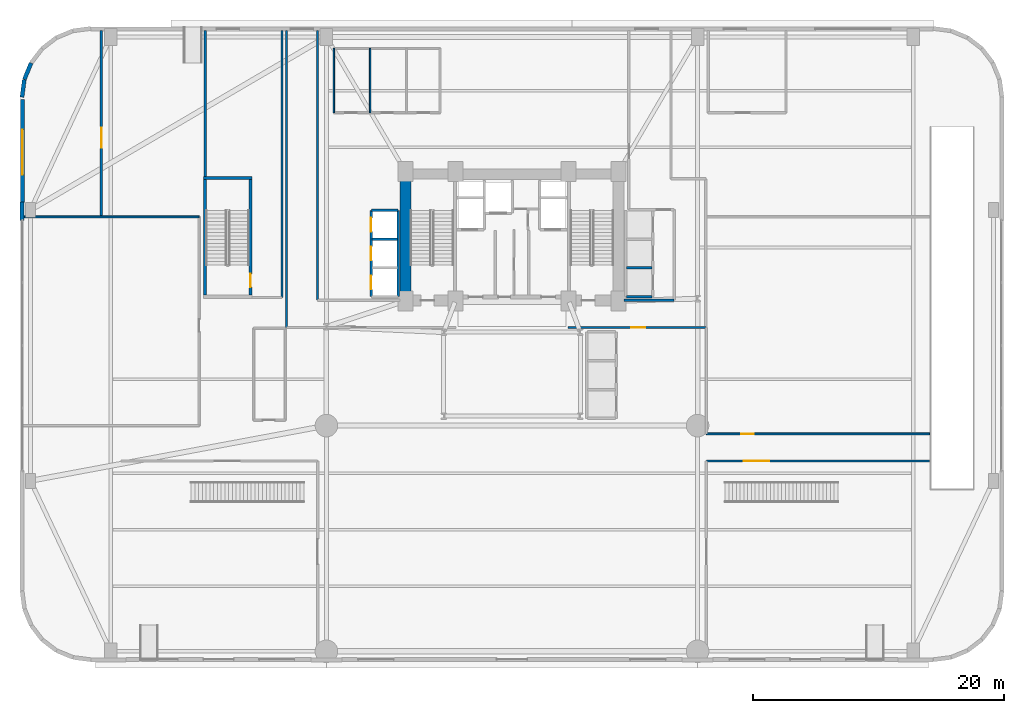
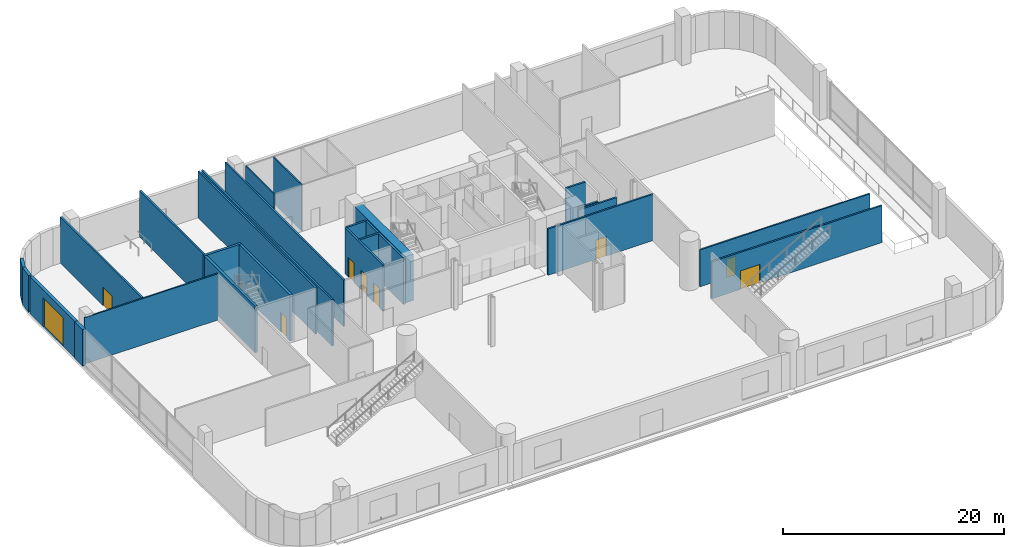
# One storey, part 17 of 26: 26 walls, 9 doors, 9 openings.
"""IFC4 building model written with IfcOpenShell, lengths in metres."""

from ifc_helpers import new_model, si_unit, direction, frame, frame_2d, origin, place, context, subcontext, project, spatial, rectangle, extrude, material, layer, layer_set, type_object, element, fill, save


model = new_model("IFC4")

# Units and contexts
model_context = context("Model", 3, precision=1e-05, world=origin(), true_north=direction((0.0, 1.0)))
body_context = subcontext(model_context, "Body", "Model", "MODEL_VIEW")
ifc_project = project(units=[si_unit("LENGTHUNIT", "METRE"), si_unit("AREAUNIT", "SQUARE_METRE"), si_unit("VOLUMEUNIT", "CUBIC_METRE"), si_unit("PLANEANGLEUNIT", "RADIAN"), si_unit("MASSUNIT", "GRAM", prefix="KILO")], contexts=[model_context])

# Site, building, storey
site_placement = place(None, origin())
site = spatial("IfcSite", under=ifc_project, at=site_placement, CompositionType="ELEMENT")
building_placement = place(site_placement, origin())
building = spatial("IfcBuilding", under=site, at=building_placement, Name="Varnelok Gate Tower", CompositionType="ELEMENT")
storey_placement = place(building_placement, origin())
storey = spatial("IfcBuildingStorey", under=building, at=storey_placement, Name="L00", CompositionType="ELEMENT", Elevation=0.0)

# Wall, opening, door
ifc_material_1 = material(Name="Concrete C45/55", Category="concrete")
ifc_layer_1 = layer(ifc_material_1, 0.320068359375)
ifc_layer_set_1 = layer_set([ifc_layer_1], Name="Concrete C45/55")
wall_type_1 = type_object("IfcWallType", Name="EW-POD-320", PredefinedType="SOLIDWALL", material=ifc_layer_set_1)
wall_1_placement = place(storey_placement, frame((0.159912109375, 36.60009765625, 0.0), z_axis=(0.0, 0.0, 1.0), x_axis=(0.0, 1.0, 0.0)))
wall_1 = element("IfcWall", 1, at=wall_1_placement, inside=storey, type_object=wall_type_1, Name="L00 West Loading Bay Facade Wall", PredefinedType="SOLIDWALL", context=body_context, shape_type="SweptSolid", body=[
    extrude(rectangle(XDim=8.199951171875, YDim=0.320068359375, at=frame_2d((4.10009765625, 0.0))), origin(), (0.0, 0.0, 1.0), 4.070068359375),
])
opening_1_placement = place(wall_1_placement, frame((2.199951171875, 0.0, 0.0)))
opening_1 = element("IfcOpeningElement", 2, at=opening_1_placement, cuts=wall_1, Name="Opening LDG-01", PredefinedType="OPENING", context=body_context, shape_type="SweptSolid", body=[
    extrude(rectangle(XDim=3.60009765625, YDim=3.199951171875, at=frame_2d((1.800048828125, 1.60009765625))), frame((0.0, 0.169921875, 0.0), z_axis=(0.0, -1.0, 0.0), x_axis=(1.0, 0.0, 0.0)), (0.0, 0.0, 1.0), 0.340087890625),
])
ifc_material_2 = material(Name="Galvanized Steel Grade S350GD", Category="steel")
door_type_1 = type_object("IfcDoorType", Name="DR-LOAD-SHUT3600", OperationType="ROLLINGUP", PredefinedType="DOOR", material=ifc_material_2)
door_1_placement = place(opening_1_placement, origin())
door_1 = element("IfcDoor", 3, at=door_1_placement, inside=storey, type_object=door_type_1, Name="L00 Service Loading Bay Roller Shutter", OperationType="ROLLINGUP", OverallHeight=3.199951171875, OverallWidth=3.60009765625, PredefinedType="DOOR", context=body_context, shape_type="SweptSolid", body=[
    extrude(rectangle(XDim=3.60009765625, YDim=3.199951171875, at=frame_2d((1.800048828125, 1.60009765625))), frame((0.0, 0.02490234375, 0.0), z_axis=(0.0, -1.0, 0.0), x_axis=(1.0, 0.0, 0.0)), (0.0, 0.0, 1.0), 0.050048828125),
])
fill(opening_1, door_1)

# Walls
wall_2_placement = place(storey_placement, frame((0.845703125, 47.71630859375, 0.0), z_axis=(0.0, 0.0, 1.0), x_axis=(-0.382924622758, -0.923779591291, 0.0)))
element("IfcWall", 4, at=wall_2_placement, inside=storey, type_object=wall_type_1, Name="L00 Perimeter Facade Closure Wall 29", PredefinedType="SOLIDWALL", context=body_context, shape_type="SweptSolid", body=[
    extrude(rectangle(XDim=1.4052734375, YDim=0.320068359375, at=frame_2d((0.70263671875, 0.0))), origin(), (0.0, 0.0, 1.0), 4.070068359375),
])
wall_3_placement = place(storey_placement, frame((0.304443359375, 46.393310546875, 0.0), z_axis=(0.0, 0.0, 1.0), x_axis=(-0.130432168094, -0.991457235349, 0.0)))
element("IfcWall", 5, at=wall_3_placement, inside=storey, type_object=wall_type_1, Name="L00 Perimeter Facade Closure Wall 30", PredefinedType="SOLIDWALL", context=body_context, shape_type="SweptSolid", body=[
    extrude(rectangle(XDim=1.4130859375, YDim=0.320068359375, at=frame_2d((0.70654296875, 0.0))), origin(), (0.0, 0.0, 1.0), 4.070068359375),
])
wall_4_placement = place(storey_placement, frame((0.1201171875, 36.6298828125, 0.0), z_axis=(0.0, 0.0, 1.0), x_axis=(0.0, -1.0, 0.0)))
element("IfcWall", 6, at=wall_4_placement, inside=storey, type_object=wall_type_1, Name="L00 Perimeter Facade Closure Wall 31", PredefinedType="SOLIDWALL", context=body_context, shape_type="SweptSolid", body=[
    extrude(rectangle(XDim=1.4599609375, YDim=0.320068359375, at=frame_2d((0.72998046875, 0.0))), origin(), (0.0, 0.0, 1.0), 4.070068359375),
])

# Wall, opening, door
ifc_material_3 = material(Name="Gypsum Plasterboard Acoustic Partition", Category="gypsum")
ifc_layer_2 = layer(ifc_material_3, 0.179931640625)
ifc_layer_set_2 = layer_set([ifc_layer_2], Name="Gypsum Plasterboard Acoustic Partition")
wall_type_2 = type_object("IfcWallType", Name="PW-CORR-180", PredefinedType="PARTITIONING", material=ifc_layer_set_2)
wall_5_placement = place(storey_placement, frame((54.699951171875, 15.97998046875, 0.0), z_axis=(0.0, 0.0, 1.0), x_axis=(1.0, 0.0, 0.0)))
wall_5 = element("IfcWall", 7, at=wall_5_placement, inside=storey, type_object=wall_type_2, Name="Interior Partition", PredefinedType="PARTITIONING", context=body_context, shape_type="SweptSolid", body=[
    extrude(rectangle(XDim=17.800048828125, YDim=0.179931640625, at=frame_2d((8.89990234375, 0.0))), origin(), (0.0, 0.0, 1.0), 4.0849609375),
])
opening_2_placement = place(wall_5_placement, frame((3.0, 0.0, 0.0)))
opening_2 = element("IfcOpeningElement", 8, at=opening_2_placement, cuts=wall_5, Name="Opening D-BL", PredefinedType="OPENING", context=body_context, shape_type="SweptSolid", body=[
    extrude(rectangle(XDim=2.0, YDim=2.050048828125, at=frame_2d((1.0, 1.02490234375))), frame((0.0, 0.099853515625, 0.0), z_axis=(0.0, -1.0, 0.0), x_axis=(1.0, 0.0, 0.0)), (0.0, 0.0, 1.0), 0.199951171875),
])
ifc_material_4 = material(Name="Engineered Hardwood Timber", Category="wood")
door_type_2 = type_object("IfcDoorType", Name="DR-BALL-2000", OperationType="DOUBLE_DOOR_SINGLE_SWING", PredefinedType="DOOR", material=ifc_material_4)
door_2_placement = place(opening_2_placement, origin())
door_2 = element("IfcDoor", 9, at=door_2_placement, inside=storey, type_object=door_type_2, Name="L00 Residences Arcade Portal", OperationType="DOUBLE_DOOR_SINGLE_SWING", OverallHeight=2.050048828125, OverallWidth=2.0, PredefinedType="DOOR", context=body_context, shape_type="SweptSolid", body=[
    extrude(rectangle(XDim=2.0, YDim=2.050048828125, at=frame_2d((1.0, 1.02490234375))), frame((0.0, 0.02490234375, 0.0), z_axis=(0.0, -1.0, 0.0), x_axis=(1.0, 0.0, 0.0)), (0.0, 0.0, 1.0), 0.050048828125),
])
fill(opening_2, door_2)

# Walls
wall_6_placement = place(storey_placement, frame((20.860107421875, 29.02001953125, 0.0), z_axis=(0.0, 0.0, 1.0), x_axis=(0.0, 1.0, 0.0)))
element("IfcWall", 10, at=wall_6_placement, inside=storey, type_object=wall_type_2, Name="Interior Partition", PredefinedType="PARTITIONING", context=body_context, shape_type="SweptSolid", body=[
    extrude(rectangle(XDim=21.300048828125, YDim=0.179931640625, at=frame_2d((10.64990234375, 0.0))), origin(), (0.0, 0.0, 1.0), 5.1201171875),
])
wall_7_placement = place(storey_placement, frame((14.739990234375, 38.52001953125, 0.0), z_axis=(0.0, 0.0, 1.0), x_axis=(0.0, 1.0, 0.0)))
element("IfcWall", 11, at=wall_7_placement, inside=storey, type_object=wall_type_2, Name="Interior Partition", PredefinedType="PARTITIONING", context=body_context, shape_type="SweptSolid", body=[
    extrude(rectangle(XDim=11.800048828125, YDim=0.179931640625, at=frame_2d((5.89990234375, 0.0))), origin(), (0.0, 0.0, 1.0), 5.1201171875),
])
wall_8_placement = place(storey_placement, frame((21.219970703125, 26.6201171875, 0.0), z_axis=(0.0, 0.0, 1.0), x_axis=(0.0, 1.0, 0.0)))
element("IfcWall", 12, at=wall_8_placement, inside=storey, type_object=wall_type_2, Name="Interior Partition", PredefinedType="PARTITIONING", context=body_context, shape_type="SweptSolid", body=[
    extrude(rectangle(XDim=23.699951171875, YDim=0.179931640625, at=frame_2d((11.85009765625, 0.0))), origin(), (0.0, 0.0, 1.0), 5.1201171875),
])
wall_9_placement = place(storey_placement, frame((23.679931640625, 28.800048828125, 0.0), z_axis=(0.0, 0.0, 1.0), x_axis=(0.0, 1.0, 0.0)))
element("IfcWall", 13, at=wall_9_placement, inside=storey, type_object=wall_type_2, Name="Interior Partition", PredefinedType="PARTITIONING", context=body_context, shape_type="SweptSolid", body=[
    extrude(rectangle(XDim=21.52001953125, YDim=0.179931640625, at=frame_2d((10.760009765625, 0.0))), origin(), (0.0, 0.0, 1.0), 5.1201171875),
])

# Wall, opening, door
wall_10_placement = place(storey_placement, frame((43.679931640625, 26.6201171875, 0.0), z_axis=(0.0, 0.0, 1.0), x_axis=(1.0, 0.0, 0.0)))
wall_10 = element("IfcWall", 14, at=wall_10_placement, inside=storey, type_object=wall_type_2, Name="Interior Partition", PredefinedType="PARTITIONING", context=body_context, shape_type="SweptSolid", body=[
    extrude(rectangle(XDim=10.97998046875, YDim=0.179931640625, at=frame_2d((5.489990234375, 0.0))), origin(), (0.0, 0.0, 1.0), 5.1201171875),
])
opening_3_placement = place(wall_10_placement, frame((5.02978515625, 0.0, 0.0)))
opening_3 = element("IfcOpeningElement", 15, at=opening_3_placement, cuts=wall_10, Name="Opening D-FF", PredefinedType="OPENING", context=body_context, shape_type="SweptSolid", body=[
    extrude(rectangle(XDim=1.10009765625, YDim=2.14990234375, at=frame_2d((0.550048828125, 1.074951171875))), frame((0.0, 0.099853515625, 0.0), z_axis=(0.0, -1.0, 0.0), x_axis=(1.0, 0.0, 0.0)), (0.0, 0.0, 1.0), 0.199951171875),
])
door_type_3 = type_object("IfcDoorType", Name="DR-FFLOB-1100", OperationType="NOTDEFINED", PredefinedType="DOOR", material=ifc_material_2)
door_3_placement = place(opening_3_placement, origin())
door_3 = element("IfcDoor", 16, at=door_3_placement, inside=storey, type_object=door_type_3, Name="L00 East Exit Passage Concourse Door", OperationType="SINGLE_SWING_LEFT", OverallHeight=2.14990234375, OverallWidth=1.10009765625, PredefinedType="DOOR", context=body_context, shape_type="SweptSolid", body=[
    extrude(rectangle(XDim=1.10009765625, YDim=2.14990234375, at=frame_2d((0.550048828125, 1.074951171875))), frame((0.0, 0.02490234375, 0.0), z_axis=(0.0, -1.0, 0.0), x_axis=(1.0, 0.0, 0.0)), (0.0, 0.0, 1.0), 0.050048828125),
])
fill(opening_3, door_3)

# Wall
wall_11_placement = place(storey_placement, frame((48.1201171875, 28.800048828125, 0.0), z_axis=(0.0, 0.0, 1.0), x_axis=(1.0, 0.0, 0.0)))
element("IfcWall", 17, at=wall_11_placement, inside=storey, type_object=wall_type_2, Name="Interior Partition", PredefinedType="PARTITIONING", context=body_context, shape_type="SweptSolid", body=[
    extrude(rectangle(XDim=4.019775390625, YDim=0.179931640625, at=frame_2d((2.009765625, 0.0))), origin(), (0.0, 0.0, 1.0), 4.33203125),
])

# Wall, opening, door
wall_12_placement = place(storey_placement, frame((6.449951171875, 35.449951171875, 0.0), z_axis=(0.0, 0.0, 1.0), x_axis=(0.0, 1.0, 0.0)))
wall_12 = element("IfcWall", 18, at=wall_12_placement, inside=storey, type_object=wall_type_2, Name="Interior Partition", PredefinedType="PARTITIONING", context=body_context, shape_type="SweptSolid", body=[
    extrude(rectangle(XDim=14.85009765625, YDim=0.179931640625, at=frame_2d((7.425048828125, 0.0))), origin(), (0.0, 0.0, 1.0), 5.1201171875),
])
opening_4_placement = place(wall_12_placement, frame((5.5, 0.0, 0.0)))
opening_4 = element("IfcOpeningElement", 19, at=opening_4_placement, cuts=wall_12, Name="Opening D-PL", PredefinedType="OPENING", context=body_context, shape_type="SweptSolid", body=[
    extrude(rectangle(XDim=1.60009765625, YDim=2.050048828125, at=frame_2d((0.800048828125, 1.02490234375))), frame((0.0, 0.099853515625, 0.0), z_axis=(0.0, -1.0, 0.0), x_axis=(1.0, 0.0, 0.0)), (0.0, 0.0, 1.0), 0.199951171875),
])
door_type_4 = type_object("IfcDoorType", Name="DR-PLANT-1600", OperationType="DOUBLE_DOOR_SINGLE_SWING", PredefinedType="DOOR", material=ifc_material_2)
door_4_placement = place(opening_4_placement, origin())
door_4 = element("IfcDoor", 20, at=door_4_placement, inside=storey, type_object=door_type_4, Name="L00 Loading Bay Service Door", OperationType="DOUBLE_DOOR_SINGLE_SWING", OverallHeight=2.050048828125, OverallWidth=1.60009765625, PredefinedType="DOOR", context=body_context, shape_type="SweptSolid", body=[
    extrude(rectangle(XDim=1.60009765625, YDim=2.050048828125, at=frame_2d((0.800048828125, 1.02490234375))), frame((0.0, 0.02490234375, 0.0), z_axis=(0.0, -1.0, 0.0), x_axis=(1.0, 0.0, 0.0)), (0.0, 0.0, 1.0), 0.050048828125),
])
fill(opening_4, door_4)

# Walls
ifc_layer_3 = layer(ifc_material_3, 0.125)
ifc_layer_set_3 = layer_set([ifc_layer_3], Name="Gypsum Plasterboard Acoustic Partition")
wall_type_3 = type_object("IfcWallType", Name="PW-PART-125", PredefinedType="PARTITIONING", material=ifc_layer_set_3)
for number, where, z_axis, x_axis, name in (
    (21, (25.0, 43.75, 0.0), (0.0, 0.0, 1.0), (0.0, 1.0, 0.0), "Interior Partition"),
    (22, (27.8798828125, 43.75, 0.0), (0.0, 0.0, 1.0), (0.0, 1.0, 0.0), "Interior Partition"),
):
    element("IfcWall", number, at=place(storey_placement, frame(where, z_axis=z_axis, x_axis=x_axis)), inside=storey, type_object=wall_type_3, Name=name, PredefinedType="PARTITIONING", context=body_context, shape_type="SweptSolid", body=[
        extrude(rectangle(XDim=5.1298828125, YDim=0.125, at=frame_2d((2.56494140625, 0.0))), origin(), (0.0, 0.0, 1.0), 5.1201171875),
    ])
ifc_layer_4 = layer(ifc_material_3, 0.14990234375)
ifc_layer_set_4 = layer_set([ifc_layer_4], Name="Gypsum Plasterboard Acoustic Partition")
wall_type_4 = type_object("IfcWallType", Name="PW-PART-150", PredefinedType="PARTITIONING", material=ifc_layer_set_4)
wall_13_placement = place(storey_placement, frame((0.300048828125, 35.449951171875, 0.0), z_axis=(0.0, 0.0, 1.0), x_axis=(1.0, 0.0, 0.0)))
element("IfcWall", 23, at=wall_13_placement, inside=storey, type_object=wall_type_4, Name="Interior Partition", PredefinedType="PARTITIONING", context=body_context, shape_type="SweptSolid", body=[
    extrude(rectangle(XDim=13.949951171875, YDim=0.14990234375, at=frame_2d((6.97509765625, 0.0))), origin(), (0.0, 0.0, 1.0), 5.1201171875),
])

# Wall, opening, door
wall_14_placement = place(storey_placement, frame((54.699951171875, 18.139892578125, 0.0), z_axis=(0.0, 0.0, 1.0), x_axis=(1.0, 0.0, 0.0)))
wall_14 = element("IfcWall", 24, at=wall_14_placement, inside=storey, type_object=wall_type_4, Name="Interior Partition", PredefinedType="PARTITIONING", context=body_context, shape_type="SweptSolid", body=[
    extrude(rectangle(XDim=17.800048828125, YDim=0.14990234375, at=frame_2d((8.89990234375, 0.0))), origin(), (0.0, 0.0, 1.0), 4.0849609375),
])
opening_5_placement = place(wall_14_placement, frame((2.800048828125, 0.0, 0.0)))
opening_5 = element("IfcOpeningElement", 25, at=opening_5_placement, cuts=wall_14, Name="Opening D-I1", PredefinedType="OPENING", context=body_context, shape_type="SweptSolid", body=[
    extrude(rectangle(XDim=1.0, YDim=2.050048828125, at=frame_2d((0.5, 1.02490234375))), frame((0.0, 0.0849609375, 0.0), z_axis=(0.0, -1.0, 0.0), x_axis=(1.0, 0.0, 0.0)), (0.0, 0.0, 1.0), 0.169921875),
])
door_type_5 = type_object("IfcDoorType", Name="DR-INT-1000", OperationType="NOTDEFINED", PredefinedType="DOOR", material=ifc_material_4)
door_5_placement = place(opening_5_placement, origin())
door_5 = element("IfcDoor", 26, at=door_5_placement, inside=storey, type_object=door_type_5, Name="L00 Retail East Corridor Door", OperationType="SINGLE_SWING_RIGHT", OverallHeight=2.050048828125, OverallWidth=1.0, PredefinedType="DOOR", context=body_context, shape_type="SweptSolid", body=[
    extrude(rectangle(XDim=1.0, YDim=2.050048828125, at=frame_2d((0.5, 1.02490234375))), frame((0.0, 0.02490234375, 0.0), z_axis=(0.0, -1.0, 0.0), x_axis=(1.0, 0.0, 0.0)), (0.0, 0.0, 1.0), 0.050048828125),
])
fill(opening_5, door_5)

# Walls
ifc_material_5 = material(Name="Concrete C35/45", Category="concrete")
ifc_layer_5 = layer(ifc_material_5, 0.199951171875)
ifc_layer_set_5 = layer_set([ifc_layer_5], Name="Concrete C35/45")
wall_type_5 = type_object("IfcWallType", Name="PW-SHAFT-200", PredefinedType="PARTITIONING", material=ifc_layer_set_5)
wall_15_placement = place(storey_placement, frame((28.02001953125, 33.675048828125, 0.0), z_axis=(0.0, 0.0, 1.0), x_axis=(1.0, 0.0, 0.0)))
element("IfcWall", 27, at=wall_15_placement, inside=storey, type_object=wall_type_5, Name="L00 PL2 Divider", PredefinedType="PARTITIONING", context=body_context, shape_type="SweptSolid", body=[
    extrude(rectangle(XDim=2.06005859375, YDim=0.199951171875, at=frame_2d((1.030029296875, 0.0))), origin(), (0.0, 0.0, 1.0), 5.1201171875),
])
wall_16_placement = place(storey_placement, frame((28.0, 35.969970703125, 0.0), z_axis=(0.0, 0.0, 1.0), x_axis=(1.0, 0.0, 0.0)))
element("IfcWall", 28, at=wall_16_placement, inside=storey, type_object=wall_type_5, Name="L00 PL Bank North Wall", PredefinedType="PARTITIONING", context=body_context, shape_type="SweptSolid", body=[
    extrude(rectangle(XDim=2.10009765625, YDim=0.199951171875, at=frame_2d((1.050048828125, 0.0))), origin(), (0.0, 0.0, 1.0), 5.1201171875),
])
wall_17_placement = place(storey_placement, frame((30.1201171875, 29.080078125, 0.0), z_axis=(0.0, 0.0, 1.0), x_axis=(0.0, 1.0, 0.0)))
element("IfcWall", 29, at=wall_17_placement, inside=storey, type_object=wall_type_5, Name="L00 PL Bank Back Wall", PredefinedType="PARTITIONING", context=body_context, shape_type="SweptSolid", body=[
    extrude(rectangle(XDim=6.889892578125, YDim=0.199951171875, at=frame_2d((3.44482421875, 0.0))), origin(), (0.0, 0.0, 1.0), 5.1201171875),
])

# Wall, openings, doors
wall_18_placement = place(storey_placement, frame((27.9599609375, 29.080078125, 0.0), z_axis=(0.0, 0.0, 1.0), x_axis=(0.0, 1.0, 0.0)))
wall_18 = element("IfcWall", 30, at=wall_18_placement, inside=storey, type_object=wall_type_5, Name="L00 PL Bank Front Wall", PredefinedType="PARTITIONING", context=body_context, shape_type="SweptSolid", body=[
    extrude(rectangle(XDim=6.889892578125, YDim=0.199951171875, at=frame_2d((3.44482421875, 0.0))), origin(), (0.0, 0.0, 1.0), 5.1201171875),
])
opening_6_placement = place(wall_18_placement, frame((0.590087890625, 0.0, 0.0)))
opening_6 = element("IfcOpeningElement", 31, at=opening_6_placement, cuts=wall_18, Name="Opening LD-PL1", PredefinedType="OPENING", context=body_context, shape_type="SweptSolid", body=[
    extrude(rectangle(XDim=1.10009765625, YDim=2.14990234375, at=frame_2d((0.550048828125, 1.074951171875))), frame((0.0, 0.10986328125, 0.0), z_axis=(0.0, -1.0, 0.0), x_axis=(1.0, 0.0, 0.0)), (0.0, 0.0, 1.0), 0.219970703125),
])
opening_7_placement = place(wall_18_placement, frame((2.889892578125, 0.0, 0.0)))
opening_7 = element("IfcOpeningElement", 32, at=opening_7_placement, cuts=wall_18, Name="Opening LD-PL2", PredefinedType="OPENING", context=body_context, shape_type="SweptSolid", body=[
    extrude(rectangle(XDim=1.10009765625, YDim=2.14990234375, at=frame_2d((0.550048828125, 1.074951171875))), frame((0.0, 0.10986328125, 0.0), z_axis=(0.0, -1.0, 0.0), x_axis=(1.0, 0.0, 0.0)), (0.0, 0.0, 1.0), 0.219970703125),
])
opening_8_placement = place(wall_18_placement, frame((5.18994140625, 0.0, 0.0)))
opening_8 = element("IfcOpeningElement", 33, at=opening_8_placement, cuts=wall_18, Name="Opening LD-PL3", PredefinedType="OPENING", context=body_context, shape_type="SweptSolid", body=[
    extrude(rectangle(XDim=1.10009765625, YDim=2.14990234375, at=frame_2d((0.550048828125, 1.074951171875))), frame((0.0, 0.10986328125, 0.0), z_axis=(0.0, -1.0, 0.0), x_axis=(1.0, 0.0, 0.0)), (0.0, 0.0, 1.0), 0.219970703125),
])
door_type_6 = type_object("IfcDoorType", Name="DR-LIFT-PAX1100", OperationType="SLIDING_TO_LEFT", PredefinedType="DOOR", material=ifc_material_2)
door_6_placement = place(opening_6_placement, origin())
door_6 = element("IfcDoor", 34, at=door_6_placement, inside=storey, type_object=door_type_6, Name="L00 Passenger Lift Landing Door LD-PL1", OperationType="SLIDING_TO_LEFT", OverallHeight=2.14990234375, OverallWidth=1.10009765625, PredefinedType="DOOR", context=body_context, shape_type="SweptSolid", body=[
    extrude(rectangle(XDim=1.10009765625, YDim=2.14990234375, at=frame_2d((0.550048828125, 1.074951171875))), frame((0.0, 0.02490234375, 0.0), z_axis=(0.0, -1.0, 0.0), x_axis=(1.0, 0.0, 0.0)), (0.0, 0.0, 1.0), 0.050048828125),
])
fill(opening_6, door_6)
door_7_placement = place(opening_7_placement, origin())
door_7 = element("IfcDoor", 35, at=door_7_placement, inside=storey, type_object=door_type_6, Name="L00 Passenger Lift Landing Door LD-PL2", OperationType="SLIDING_TO_LEFT", OverallHeight=2.14990234375, OverallWidth=1.10009765625, PredefinedType="DOOR", context=body_context, shape_type="SweptSolid", body=[
    extrude(rectangle(XDim=1.10009765625, YDim=2.14990234375, at=frame_2d((0.550048828125, 1.074951171875))), frame((0.0, 0.02490234375, 0.0), z_axis=(0.0, -1.0, 0.0), x_axis=(1.0, 0.0, 0.0)), (0.0, 0.0, 1.0), 0.050048828125),
])
fill(opening_7, door_7)
door_8_placement = place(opening_8_placement, origin())
door_8 = element("IfcDoor", 36, at=door_8_placement, inside=storey, type_object=door_type_6, Name="L00 Passenger Lift Landing Door LD-PL3", OperationType="SLIDING_TO_LEFT", OverallHeight=2.14990234375, OverallWidth=1.10009765625, PredefinedType="DOOR", context=body_context, shape_type="SweptSolid", body=[
    extrude(rectangle(XDim=1.10009765625, YDim=2.14990234375, at=frame_2d((0.550048828125, 1.074951171875))), frame((0.0, 0.02490234375, 0.0), z_axis=(0.0, -1.0, 0.0), x_axis=(1.0, 0.0, 0.0)), (0.0, 0.0, 1.0), 0.050048828125),
])
fill(opening_8, door_8)

# Walls
wall_19_placement = place(storey_placement, frame((48.320068359375, 31.375, 0.0), z_axis=(0.0, 0.0, 1.0), x_axis=(1.0, 0.0, 0.0)))
element("IfcWall", 37, at=wall_19_placement, inside=storey, type_object=wall_type_5, Name="L00 PM1 Divider", PredefinedType="PARTITIONING", context=body_context, shape_type="SweptSolid", body=[
    extrude(rectangle(XDim=2.059814453125, YDim=0.199951171875, at=frame_2d((1.02978515625, 0.0))), origin(), (0.0, 0.0, 1.0), 5.1201171875),
])
wall_20_placement = place(storey_placement, frame((48.320068359375, 29.080078125, 0.0), z_axis=(0.0, 0.0, 1.0), x_axis=(1.0, 0.0, 0.0)))
element("IfcWall", 38, at=wall_20_placement, inside=storey, type_object=wall_type_5, Name="L00 PM Bank South Wall", PredefinedType="PARTITIONING", context=body_context, shape_type="SweptSolid", body=[
    extrude(rectangle(XDim=2.059814453125, YDim=0.199951171875, at=frame_2d((1.02978515625, 0.0))), origin(), (0.0, 0.0, 1.0), 4.33203125),
])
ifc_material_6 = material(Name="Concrete C70/85", Category="concrete")
ifc_layer_6 = layer(ifc_material_6, 0.85009765625)
ifc_layer_set_6 = layer_set([ifc_layer_6], Name="Concrete C70/85")
wall_type_6 = type_object("IfcWallType", Name="SW-CORE-850", PredefinedType="SHEAR", material=ifc_layer_set_6)
wall_21_placement = place(storey_placement, frame((30.705078125, 29.199951171875, 0.0), z_axis=(0.0, 0.0, 1.0), x_axis=(0.0, 1.0, 0.0)))
element("IfcWall", 39, at=wall_21_placement, inside=storey, type_object=wall_type_6, Name="L00 Rear Core West Shear Wall", PredefinedType="SHEAR", context=body_context, shape_type="SweptSolid", body=[
    extrude(rectangle(XDim=9.219970703125, YDim=0.85009765625, at=frame_2d((4.60986328125, 0.0))), origin(), (0.0, 0.0, 1.0), 5.1201171875),
])
ifc_material_7 = material(Name="Concrete C60/75", Category="concrete")
ifc_layer_7 = layer(ifc_material_7, 0.25)
ifc_layer_set_7 = layer_set([ifc_layer_7], Name="Concrete C60/75")
wall_type_7 = type_object("IfcWallType", Name="SW-SHAFT-250", PredefinedType="SHEAR", material=ifc_layer_set_7)
wall_22_placement = place(storey_placement, frame((14.705078125, 29.199951171875, 0.0), z_axis=(0.0, 0.0, 1.0), x_axis=(0.0, 1.0, 0.0)))
element("IfcWall", 40, at=wall_22_placement, inside=storey, type_object=wall_type_7, Name="L00 Stair ST-3 West Shear Wall", PredefinedType="SHEAR", context=body_context, shape_type="SweptSolid", body=[
    extrude(rectangle(XDim=9.219970703125, YDim=0.25, at=frame_2d((4.60986328125, 0.0))), origin(), (0.0, 0.0, 1.0), 5.1201171875),
])

# Wall, opening, door
wall_23_placement = place(storey_placement, frame((18.344970703125, 29.199951171875, 0.0), z_axis=(0.0, 0.0, 1.0), x_axis=(0.0, 1.0, 0.0)))
wall_23 = element("IfcWall", 41, at=wall_23_placement, inside=storey, type_object=wall_type_7, Name="L00 Stair ST-3 East Shear Wall", PredefinedType="SHEAR", context=body_context, shape_type="SweptSolid", body=[
    extrude(rectangle(XDim=9.219970703125, YDim=0.25, at=frame_2d((4.60986328125, 0.0))), origin(), (0.0, 0.0, 1.0), 5.1201171875),
])
opening_9_placement = place(wall_23_placement, frame((0.64990234375, 0.0, 0.0)))
opening_9 = element("IfcOpeningElement", 42, at=opening_9_placement, cuts=wall_23, Name="Opening D-ST", PredefinedType="OPENING", context=body_context, shape_type="SweptSolid", body=[
    extrude(rectangle(XDim=1.050048828125, YDim=2.14990234375, at=frame_2d((0.52490234375, 1.074951171875))), frame((0.0, 0.135009765625, 0.0), z_axis=(0.0, -1.0, 0.0), x_axis=(1.0, 0.0, 0.0)), (0.0, 0.0, 1.0), 0.27001953125),
])
door_type_7 = type_object("IfcDoorType", Name="DR-STAIR-1050", OperationType="NOTDEFINED", PredefinedType="DOOR", material=ifc_material_2)
door_9_placement = place(opening_9_placement, origin())
door_9 = element("IfcDoor", 43, at=door_9_placement, inside=storey, type_object=door_type_7, Name="L00 Podium Stair ST-3 Fire Door", OperationType="SINGLE_SWING_LEFT", OverallHeight=2.14990234375, OverallWidth=1.050048828125, PredefinedType="DOOR", context=body_context, shape_type="SweptSolid", body=[
    extrude(rectangle(XDim=1.050048828125, YDim=2.14990234375, at=frame_2d((0.52490234375, 1.074951171875))), frame((0.0, 0.02490234375, 0.0), z_axis=(0.0, -1.0, 0.0), x_axis=(1.0, 0.0, 0.0)), (0.0, 0.0, 1.0), 0.050048828125),
])
fill(opening_9, door_9)

# Wall
wall_24_placement = place(storey_placement, frame((14.580078125, 38.544921875, 0.0), z_axis=(0.0, 0.0, 1.0), x_axis=(1.0, 0.0, 0.0)))
element("IfcWall", 44, at=wall_24_placement, inside=storey, type_object=wall_type_7, Name="L00 Stair ST-3 North Shear Wall", PredefinedType="SHEAR", context=body_context, shape_type="SweptSolid", body=[
    extrude(rectangle(XDim=3.889892578125, YDim=0.25, at=frame_2d((1.94482421875, 0.0))), origin(), (0.0, 0.0, 1.0), 5.1201171875),
])

save(model, "model.ifc")
